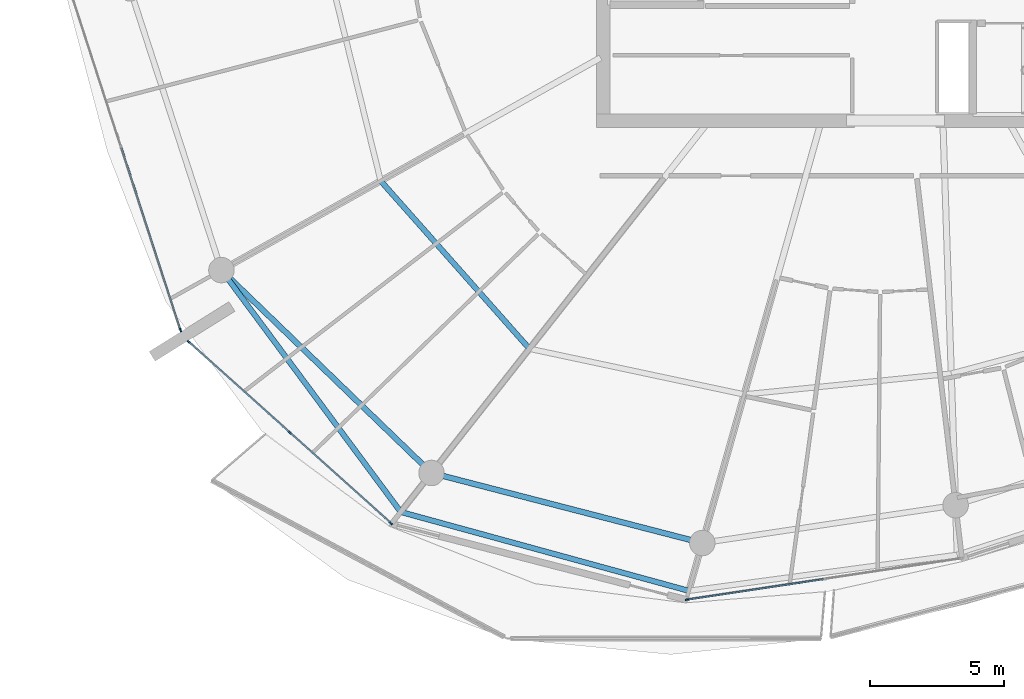
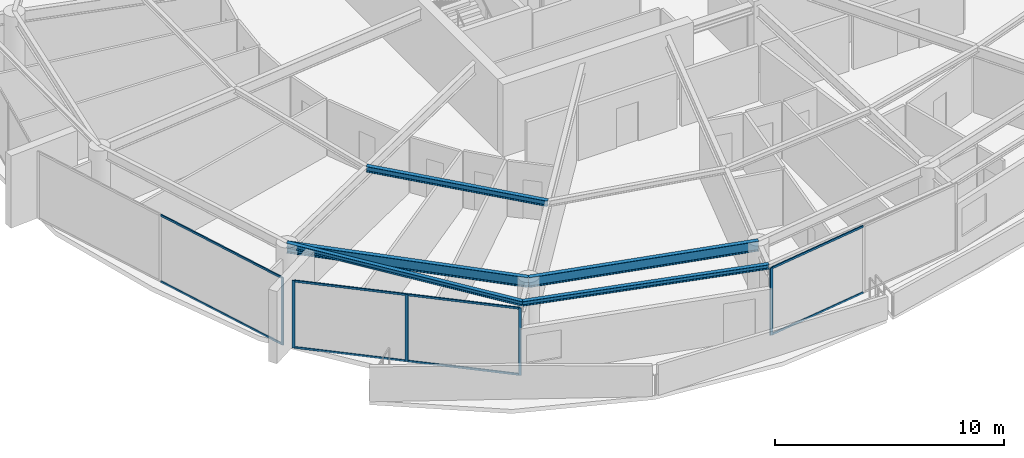
# One storey, part 6 of 30: 13 members, 5 beams, 3 elements without a shape of their own.
"""IFC4 building model written with IfcOpenShell, lengths in metres."""

from ifc_helpers import new_model, si_unit, direction, frame, origin, origin_2d, place, context, subcontext, project, spatial, rectangle, i_section, extrude, material, layer, layer_set, material_profile, profile_set, type_object, element, aggregate, save


model = new_model("IFC4")

# Units and contexts
model_context = context("Model", 3, precision=1e-05, world=origin(), true_north=direction((0.0, 1.0)))
body_context = subcontext(model_context, "Body", "Model", "MODEL_VIEW")
ifc_project = project(units=[si_unit("LENGTHUNIT", "METRE"), si_unit("AREAUNIT", "SQUARE_METRE"), si_unit("VOLUMEUNIT", "CUBIC_METRE"), si_unit("PLANEANGLEUNIT", "RADIAN"), si_unit("MASSUNIT", "GRAM", prefix="KILO")], contexts=[model_context])

# Site, building, storey
site_placement = place(None, origin())
site = spatial("IfcSite", under=ifc_project, at=site_placement, CompositionType="ELEMENT")
building_placement = place(site_placement, origin())
building = spatial("IfcBuilding", under=site, at=building_placement, Name="Kazma Halo Residences", CompositionType="ELEMENT")
storey_placement = place(building_placement, frame((0.0, 0.0, 279.050048828125)))
storey = spatial("IfcBuildingStorey", under=building, at=storey_placement, Name="L70", CompositionType="ELEMENT", Elevation=279.050048828125)

# Beams
ifc_material_1 = material(Name="Steel S355", Category="steel")
ifc_material_profile_1 = material_profile(ifc_material_1, i_section(OverallWidth=0.201904296875, OverallDepth=0.2470703125, WebThickness=0.00732421875, FlangeThickness=0.010986328125, FilletRadius=0.011962890625, at=origin_2d()), Name="W250x49.1")
ifc_profile_set_1 = profile_set([ifc_material_profile_1], Name="Steel S355")
beam_type_1 = type_object("IfcBeamType", Name="BM-BAL-CANT", PredefinedType="BEAM", material=ifc_profile_set_1)
beam_1_placement = place(storey_placement, frame((23.32958984375, 28.18408203125, 3.466552734375), z_axis=(0.595556062515, -0.803313747176, 0.0), x_axis=(0.803313747176, 0.595556062515, 0.0)))
element("IfcBeam", 1, at=beam_1_placement, inside=storey, type_object=beam_type_1, Name="L70 wave-balcony lead tie beam 09", PredefinedType="BEAM", context=body_context, shape_type="SweptSolid", body=[
    extrude(i_section(OverallWidth=0.201904296875, OverallDepth=0.2470703125, WebThickness=0.00732421875, FlangeThickness=0.010986328125, FilletRadius=0.011962890625, at=origin_2d()), origin(), (0.0, 0.0, 1.0), 11.213134765625),
])
beam_2_placement = place(storey_placement, frame((30.007568359375, 19.176513671875, 3.466552734375), z_axis=(0.964514665976, -0.264029277006, 0.0), x_axis=(0.264029277006, 0.964514665976, 0.0)))
element("IfcBeam", 2, at=beam_2_placement, inside=storey, type_object=beam_type_1, Name="L70 wave-balcony tie beam 10", PredefinedType="BEAM", context=body_context, shape_type="SweptSolid", body=[
    extrude(i_section(OverallWidth=0.201904296875, OverallDepth=0.2470703125, WebThickness=0.00732421875, FlangeThickness=0.010986328125, FilletRadius=0.011962890625, at=origin_2d()), origin(), (0.0, 0.0, 1.0), 11.1220703125),
])
ifc_material_profile_2 = material_profile(ifc_material_1, i_section(OverallWidth=0.202880859375, OverallDepth=0.302978515625, WebThickness=0.007568359375, FlangeThickness=0.01318359375, FilletRadius=0.013916015625, at=origin_2d()), Name="W310x60")
ifc_profile_set_2 = profile_set([ifc_material_profile_2], Name="Steel S355")
beam_type_2 = type_object("IfcBeamType", Name="BM-SEC-W310A", PredefinedType="JOIST", material=ifc_profile_set_2)
beam_3_placement = place(storey_placement, frame((29.26025390625, 31.505126953125, 3.4384765625), z_axis=(0.663307142238, -0.748347269024, 0.0), x_axis=(0.748347269024, 0.663307142238, 0.0)))
element("IfcBeam", 3, at=beam_3_placement, inside=storey, type_object=beam_type_2, Name="L70 circumferential floor joist 09", PredefinedType="JOIST", context=body_context, shape_type="SweptSolid", body=[
    extrude(i_section(OverallWidth=0.202880859375, OverallDepth=0.302978515625, WebThickness=0.007568359375, FlangeThickness=0.01318359375, FilletRadius=0.013916015625, at=origin_2d()), origin(), (0.0, 0.0, 1.0), 8.351318359375),
])
ifc_material_profile_3 = material_profile(ifc_material_1, i_section(OverallWidth=0.208984375, OverallDepth=0.532958984375, WebThickness=0.01025390625, FlangeThickness=0.015625, FilletRadius=0.01611328125, at=origin_2d()), Name="W530x92")
ifc_profile_set_3 = profile_set([ifc_material_profile_3], Name="Steel S355")
beam_type_3 = type_object("IfcBeamType", Name="BM-SPN-W530", PredefinedType="BEAM", material=ifc_profile_set_3)
beam_4_placement = place(storey_placement, frame((23.32958984375, 28.18408203125, 3.323486328125), z_axis=(0.719345757929, -0.694652201141, 0.0), x_axis=(0.694652201141, 0.719345757929, 0.0)))
element("IfcBeam", 4, at=beam_4_placement, inside=storey, type_object=beam_type_3, Name="L70 perimeter ring beam 09", PredefinedType="BEAM", context=body_context, shape_type="SweptSolid", body=[
    extrude(i_section(OverallWidth=0.208984375, OverallDepth=0.532958984375, WebThickness=0.01025390625, FlangeThickness=0.015625, FilletRadius=0.01611328125, at=origin_2d()), origin(), (0.0, 0.0, 1.0), 10.87548828125),
])
beam_5_placement = place(storey_placement, frame((31.15283203125, 20.62939453125, 3.323486328125), z_axis=(0.968126042852, -0.250463500639, 0.0), x_axis=(0.250463500639, 0.968126042852, 0.0)))
element("IfcBeam", 5, at=beam_5_placement, inside=storey, type_object=beam_type_3, Name="L70 perimeter ring beam 10", PredefinedType="BEAM", context=body_context, shape_type="SweptSolid", body=[
    extrude(i_section(OverallWidth=0.208984375, OverallDepth=0.532958984375, WebThickness=0.01025390625, FlangeThickness=0.015625, FilletRadius=0.01611328125, at=origin_2d()), origin(), (0.0, 0.0, 1.0), 10.416259765625),
])

# Curtain wall, member
ifc_material_2 = material(Name="Aluminium AW-6063 T6 and Triple-Silver Low-E Glass", Category="aluminium")
ifc_layer = layer(ifc_material_2, 0.139892578125)
ifc_layer_set = layer_set([ifc_layer], Name="Aluminium AW-6063 T6 and Triple-Silver Low-E Glass")
curtain_wall_type = type_object("IfcCurtainWallType", Name="CW-SYS-5", PredefinedType="NOTDEFINED", material=ifc_layer_set)
curtain_wall_1_placement = place(storey_placement, origin())
curtain_wall_1 = element("IfcCurtainWall", 6, at=curtain_wall_1_placement, inside=storey, type_object=curtain_wall_type, Name="L70 unitised curtain wall B08", PredefinedType="NOTDEFINED")
ifc_material_3 = material(Name="Aluminium AW-6063 T6", Category="aluminium")
ifc_material_profile_4 = material_profile(ifc_material_3, rectangle(XDim=0.06005859375, YDim=0.139892578125, at=origin_2d()), Name="CWM-60x140")
ifc_profile_set_4 = profile_set([ifc_material_profile_4], Name="Aluminium AW-6063 T6")
member_type_1 = type_object("IfcMemberType", Name="CW-SYS-5-MUL", PredefinedType="MULLION", material=ifc_profile_set_4)
member_1_placement = place(storey_placement, frame((21.8076171875, 25.9521484375, 0.0), z_axis=(0.0, 0.0, 1.0), x_axis=(0.951058464359, 0.309010998786, 0.0)))
member_1 = element("IfcMember", 7, at=member_1_placement, type_object=member_type_1, Name="CWS-5 mullion 3", PredefinedType="MULLION", context=body_context, shape_type="SweptSolid", body=[
    extrude(rectangle(XDim=0.06005859375, YDim=0.139892578125, at=origin_2d()), origin(), (0.0, 0.0, 1.0), 3.58984375),
])

# Curtain wall, members
curtain_wall_2_placement = place(storey_placement, origin())
curtain_wall_2 = element("IfcCurtainWall", 8, at=curtain_wall_2_placement, inside=storey, type_object=curtain_wall_type, Name="L70 unitised curtain wall B09", PredefinedType="NOTDEFINED")
member_2_placement = place(storey_placement, frame((22.11669921875, 25.508056640625, 0.0), z_axis=(0.0, 0.0, 1.0), x_axis=(0.667804826958, 0.744336424671, 0.0)))
member_2 = element("IfcMember", 9, at=member_2_placement, type_object=member_type_1, Name="CWS-5 mullion 1", PredefinedType="MULLION", context=body_context, shape_type="SweptSolid", body=[
    extrude(rectangle(XDim=0.06005859375, YDim=0.139892578125, at=origin_2d()), origin(), (0.0, 0.0, 1.0), 3.58984375),
])
member_3_placement = place(storey_placement, frame((25.878173828125, 22.13330078125, 0.0), z_axis=(0.0, 0.0, 1.0), x_axis=(0.667804826958, 0.744336424671, 0.0)))
member_3 = element("IfcMember", 10, at=member_3_placement, type_object=member_type_1, Name="CWS-5 mullion 2", PredefinedType="MULLION", context=body_context, shape_type="SweptSolid", body=[
    extrude(rectangle(XDim=0.06005859375, YDim=0.139892578125, at=origin_2d()), origin(), (0.0, 0.0, 1.0), 3.58984375),
])
member_4_placement = place(storey_placement, frame((29.6396484375, 18.758544921875, 0.0), z_axis=(0.0, 0.0, 1.0), x_axis=(0.667804826958, 0.744336424671, 0.0)))
member_4 = element("IfcMember", 11, at=member_4_placement, type_object=member_type_1, Name="CWS-5 mullion 3", PredefinedType="MULLION", context=body_context, shape_type="SweptSolid", body=[
    extrude(rectangle(XDim=0.06005859375, YDim=0.139892578125, at=origin_2d()), origin(), (0.0, 0.0, 1.0), 3.58984375),
])

# Curtain wall, member
curtain_wall_3_placement = place(storey_placement, origin())
curtain_wall_3 = element("IfcCurtainWall", 12, at=curtain_wall_3_placement, inside=storey, type_object=curtain_wall_type, Name="L70 unitised curtain wall B11", PredefinedType="NOTDEFINED")
member_5_placement = place(storey_placement, frame((40.671142578125, 15.912841796875, 0.0), z_axis=(0.0, 0.0, 1.0), x_axis=(-0.148697080374, 0.988882792998, 0.0)))
member_5 = element("IfcMember", 13, at=member_5_placement, type_object=member_type_1, Name="CWS-5 mullion 1", PredefinedType="MULLION", context=body_context, shape_type="SweptSolid", body=[
    extrude(rectangle(XDim=0.06005859375, YDim=0.139892578125, at=origin_2d()), origin(), (0.0, 0.0, 1.0), 3.58984375),
])

# Member
ifc_material_profile_5 = material_profile(ifc_material_3, rectangle(XDim=0.06005859375, YDim=0.10498046875, at=origin_2d()), Name="CWT-60x105")
ifc_profile_set_5 = profile_set([ifc_material_profile_5], Name="Aluminium AW-6063 T6")
member_type_2 = type_object("IfcMemberType", Name="CW-SYS-5-TRN", PredefinedType="USERDEFINED", material=ifc_profile_set_5)
member_6_placement = place(storey_placement, frame((19.6015625, 32.7412109375, 0.030029296875), z_axis=(0.309027052142, -0.95105324827, 0.0), x_axis=(0.95105324827, 0.309027052142, 0.0)))
member_6 = element("IfcMember", 14, at=member_6_placement, type_object=member_type_2, Name="CWS-5 transom 2.1", ObjectType="TRANSOM", PredefinedType="USERDEFINED", context=body_context, shape_type="SweptSolid", body=[
    extrude(rectangle(XDim=0.06005859375, YDim=0.10498046875, at=origin_2d()), origin(), (0.0, 0.0, 1.0), 7.108642578125),
])

member_7_placement = place(storey_placement, frame((19.6015625, 32.7412109375, 3.56005859375), z_axis=(0.309027052142, -0.95105324827, 0.0), x_axis=(0.95105324827, 0.309027052142, 0.0)))
member_7 = element("IfcMember", 15, at=member_7_placement, type_object=member_type_2, Name="CWS-5 transom 2.2", ObjectType="TRANSOM", PredefinedType="USERDEFINED", context=body_context, shape_type="SweptSolid", body=[
    extrude(rectangle(XDim=0.06005859375, YDim=0.10498046875, at=origin_2d()), origin(), (0.0, 0.0, 1.0), 7.108642578125),
])

aggregate(curtain_wall_1, [member_1, member_6, member_7])

member_8_placement = place(storey_placement, frame((22.138916015625, 25.488037109375, 0.030029296875), z_axis=(0.744328897483, -0.667813216679, 0.0), x_axis=(0.667813216679, 0.744328897483, 0.0)))
member_8 = element("IfcMember", 16, at=member_8_placement, type_object=member_type_2, Name="CWS-5 transom 1.1", ObjectType="TRANSOM", PredefinedType="USERDEFINED", context=body_context, shape_type="SweptSolid", body=[
    extrude(rectangle(XDim=0.06005859375, YDim=0.10498046875, at=origin_2d()), origin(), (0.0, 0.0, 1.0), 4.993408203125),
])

member_9_placement = place(storey_placement, frame((22.138916015625, 25.488037109375, 3.56005859375), z_axis=(0.744328897483, -0.667813216679, 0.0), x_axis=(0.667813216679, 0.744328897483, 0.0)))
member_9 = element("IfcMember", 17, at=member_9_placement, type_object=member_type_2, Name="CWS-5 transom 1.2", ObjectType="TRANSOM", PredefinedType="USERDEFINED", context=body_context, shape_type="SweptSolid", body=[
    extrude(rectangle(XDim=0.06005859375, YDim=0.10498046875, at=origin_2d()), origin(), (0.0, 0.0, 1.0), 4.993408203125),
])

member_10_placement = place(storey_placement, frame((25.900390625, 22.11328125, 0.030029296875), z_axis=(0.744350700793, -0.667788914425, 0.0), x_axis=(0.667788914425, 0.744350700793, 0.0)))
member_10 = element("IfcMember", 18, at=member_10_placement, type_object=member_type_2, Name="CWS-5 transom 2.1", ObjectType="TRANSOM", PredefinedType="USERDEFINED", context=body_context, shape_type="SweptSolid", body=[
    extrude(rectangle(XDim=0.06005859375, YDim=0.10498046875, at=origin_2d()), origin(), (0.0, 0.0, 1.0), 4.99365234375),
])

member_11_placement = place(storey_placement, frame((25.900390625, 22.11328125, 3.56005859375), z_axis=(0.744350700793, -0.667788914425, 0.0), x_axis=(0.667788914425, 0.744350700793, 0.0)))
member_11 = element("IfcMember", 19, at=member_11_placement, type_object=member_type_2, Name="CWS-5 transom 2.2", ObjectType="TRANSOM", PredefinedType="USERDEFINED", context=body_context, shape_type="SweptSolid", body=[
    extrude(rectangle(XDim=0.06005859375, YDim=0.10498046875, at=origin_2d()), origin(), (0.0, 0.0, 1.0), 4.99365234375),
])

aggregate(curtain_wall_2, [member_2, member_3, member_4, member_8, member_9, member_10, member_11])

member_12_placement = place(storey_placement, frame((40.70068359375, 15.917236328125, 0.030029296875), z_axis=(0.988883972013, 0.148689239341, 0.0), x_axis=(-0.148689239341, 0.988883972013, 0.0)))
member_12 = element("IfcMember", 20, at=member_12_placement, type_object=member_type_2, Name="CWS-5 transom 1.1", ObjectType="TRANSOM", PredefinedType="USERDEFINED", context=body_context, shape_type="SweptSolid", body=[
    extrude(rectangle(XDim=0.06005859375, YDim=0.10498046875, at=origin_2d()), origin(), (0.0, 0.0, 1.0), 5.099853515625),
])

member_13_placement = place(storey_placement, frame((40.70068359375, 15.917236328125, 3.56005859375), z_axis=(0.988883972013, 0.148689239341, 0.0), x_axis=(-0.148689239341, 0.988883972013, 0.0)))
member_13 = element("IfcMember", 21, at=member_13_placement, type_object=member_type_2, Name="CWS-5 transom 1.2", ObjectType="TRANSOM", PredefinedType="USERDEFINED", context=body_context, shape_type="SweptSolid", body=[
    extrude(rectangle(XDim=0.06005859375, YDim=0.10498046875, at=origin_2d()), origin(), (0.0, 0.0, 1.0), 5.099853515625),
])

aggregate(curtain_wall_3, [member_5, member_12, member_13])

save(model, "model.ifc")
